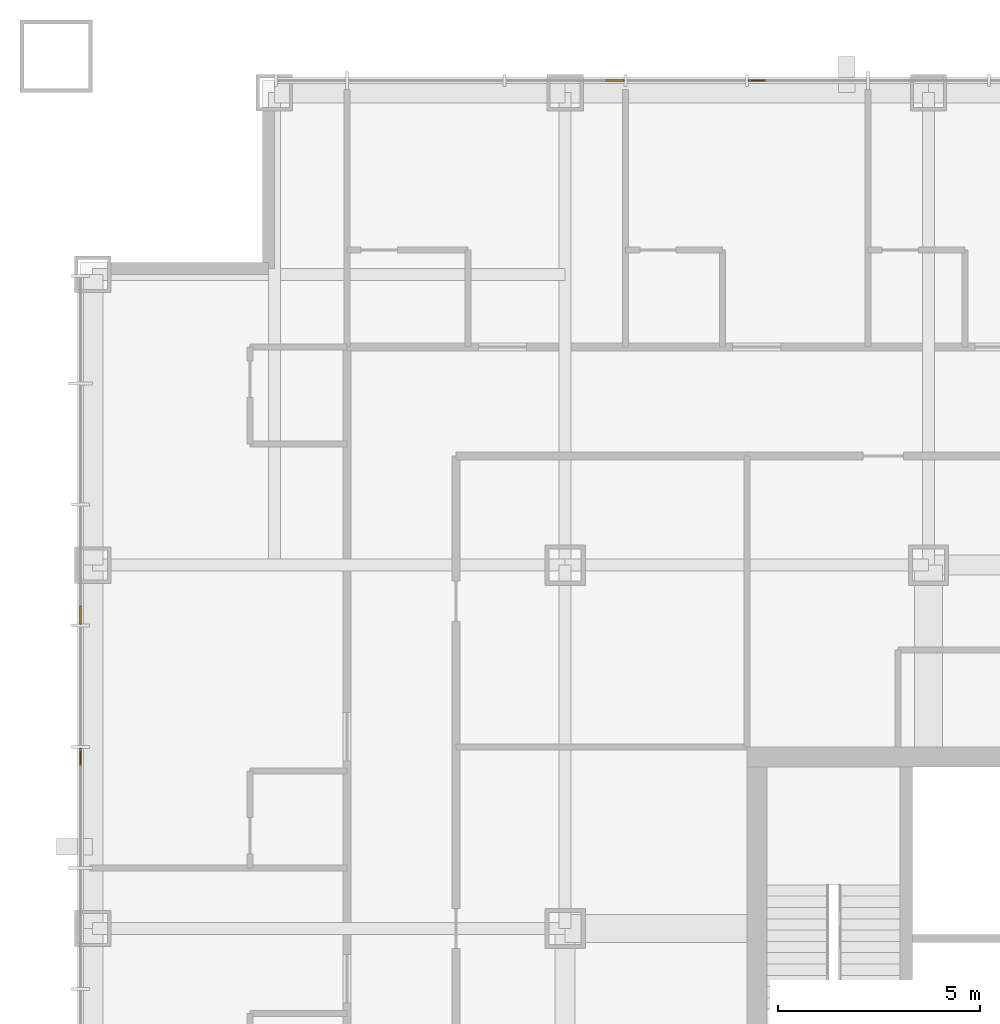
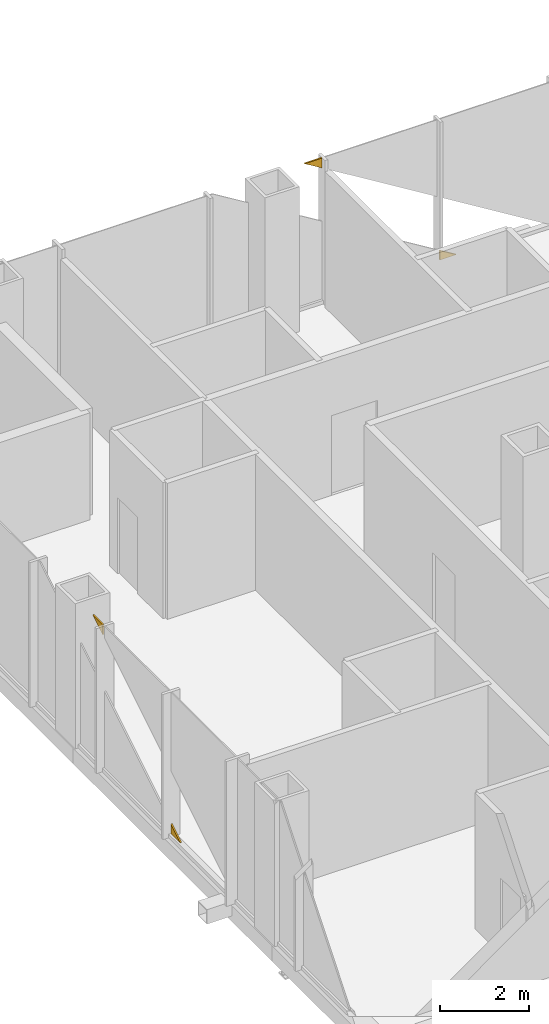
# One storey, part 16 of 17: 4 coverings.
"""IFC4 building model written with IfcOpenShell, lengths in metres."""

from ifc_helpers import new_model, si_unit, direction, frame, origin, place, context, subcontext, project, spatial, polyline, outline, extrude, material, layer, layer_set, type_object, element, save


model = new_model("IFC4")

# Units and contexts
model_context = context("Model", 3, precision=1e-05, world=origin(), true_north=direction((0.0, 1.0)))
body_context = subcontext(model_context, "Body", "Model", "MODEL_VIEW")
ifc_project = project(units=[si_unit("LENGTHUNIT", "METRE"), si_unit("AREAUNIT", "SQUARE_METRE"), si_unit("VOLUMEUNIT", "CUBIC_METRE"), si_unit("PLANEANGLEUNIT", "RADIAN"), si_unit("MASSUNIT", "GRAM", prefix="KILO")], contexts=[model_context])

# Site, building, storey
site_placement = place(None, origin())
site = spatial("IfcSite", under=ifc_project, at=site_placement, CompositionType="ELEMENT")
building_placement = place(site_placement, origin())
building = spatial("IfcBuilding", under=site, at=building_placement, Name="Malebo Sky Hospital", CompositionType="ELEMENT")
storey_placement = place(building_placement, frame((0.0, 0.0, 51.0)))
storey = spatial("IfcBuildingStorey", under=building, at=storey_placement, Name="L11", CompositionType="ELEMENT", Elevation=51.0)

# Coverings
ifc_material = material(Name="Anodised aluminium, natural silver insulated infill panel", Category="aluminium")
ifc_layer = layer(ifc_material, 0.0400390625)
ifc_layer_set = layer_set([ifc_layer], Name="BRACE INFILL PANEL 40")
covering_type = type_object("IfcCoveringType", Name="BRACE INFILL PANEL 40", PredefinedType="CLADDING", material=ifc_layer_set)
covering_1_placement = place(storey_placement, frame((47.736572265625, 87.5, 3.713134765625), z_axis=(0.0, 0.0, 1.0), x_axis=(1.0, 0.0, 0.0)))
element("IfcCovering", 1, at=covering_1_placement, inside=storey, type_object=covering_type, Name="Brace infill panel 3.1", PredefinedType="CLADDING", context=body_context, shape_type="SweptSolid", body=[
    extrude(outline(polyline([(0.225830078125, 0.0), (0.225830078125, 0.27685546875), (-0.225830078125, 0.27685546875), (0.225830078125, 0.0)])), frame((0.0, 0.02001953125, 0.0), z_axis=(0.0, -1.0, 0.0), x_axis=(1.0, 0.0, 0.0)), (0.0, 0.0, 1.0), 0.0400390625),
])
covering_2_placement = place(storey_placement, frame((51.25, 87.5, 0.10009765625), z_axis=(0.0, 0.0, 1.0), x_axis=(1.0, 0.0, 0.0)))
element("IfcCovering", 2, at=covering_2_placement, inside=storey, type_object=covering_type, Name="Brace infill panel 5.1", PredefinedType="CLADDING", context=body_context, shape_type="SweptSolid", body=[
    extrude(outline(polyline([(-0.212646484375, 0.0), (0.212646484375, 0.0), (-0.212646484375, 0.2607421875), (-0.212646484375, 0.0)])), frame((0.0, 0.02001953125, 0.0), z_axis=(0.0, -1.0, 0.0), x_axis=(1.0, 0.0, 0.0)), (0.0, 0.0, 1.0), 0.0400390625),
])
covering_3_placement = place(storey_placement, frame((34.5, 70.75, 0.10009765625), z_axis=(0.0, 0.0, 1.0), x_axis=(0.0, 1.0, 0.0)))
element("IfcCovering", 3, at=covering_3_placement, inside=storey, type_object=covering_type, Name="Brace infill panel 10.1", PredefinedType="CLADDING", context=body_context, shape_type="SweptSolid", body=[
    extrude(outline(polyline([(-0.212646484375, 0.0), (0.212646484375, 0.0), (0.212646484375, 0.2607421875), (-0.212646484375, 0.0)])), frame((0.0, 0.02001953125, 0.0), z_axis=(0.0, -1.0, 0.0), x_axis=(1.0, 0.0, 0.0)), (0.0, 0.0, 1.0), 0.0400390625),
])
covering_4_placement = place(storey_placement, frame((34.5, 74.263427734375, 3.713134765625), z_axis=(0.0, 0.0, 1.0), x_axis=(0.0, 1.0, 0.0)))
element("IfcCovering", 4, at=covering_4_placement, inside=storey, type_object=covering_type, Name="Brace infill panel 12.1", PredefinedType="CLADDING", context=body_context, shape_type="SweptSolid", body=[
    extrude(outline(polyline([(-0.225830078125, 0.0), (0.225830078125, 0.27685546875), (-0.225830078125, 0.27685546875), (-0.225830078125, 0.0)])), frame((0.0, 0.02001953125, 0.0), z_axis=(0.0, -1.0, 0.0), x_axis=(1.0, 0.0, 0.0)), (0.0, 0.0, 1.0), 0.0400390625),
])

save(model, "model.ifc")
